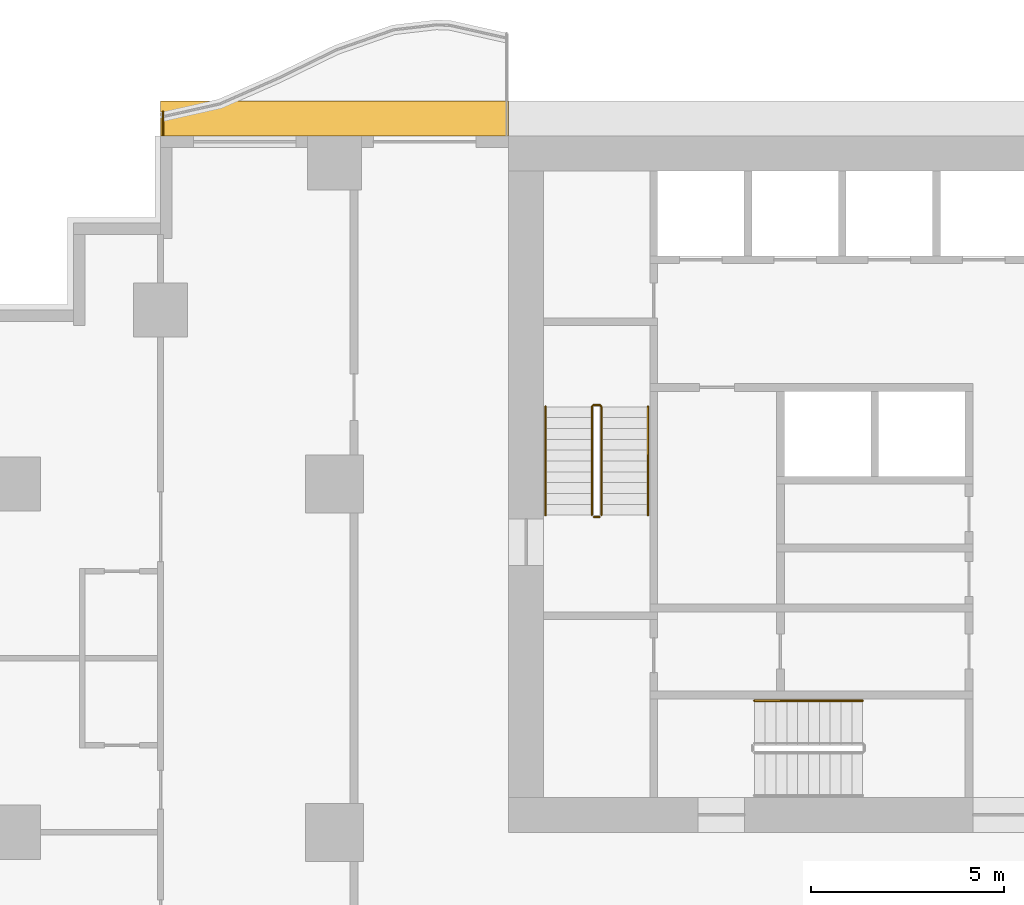
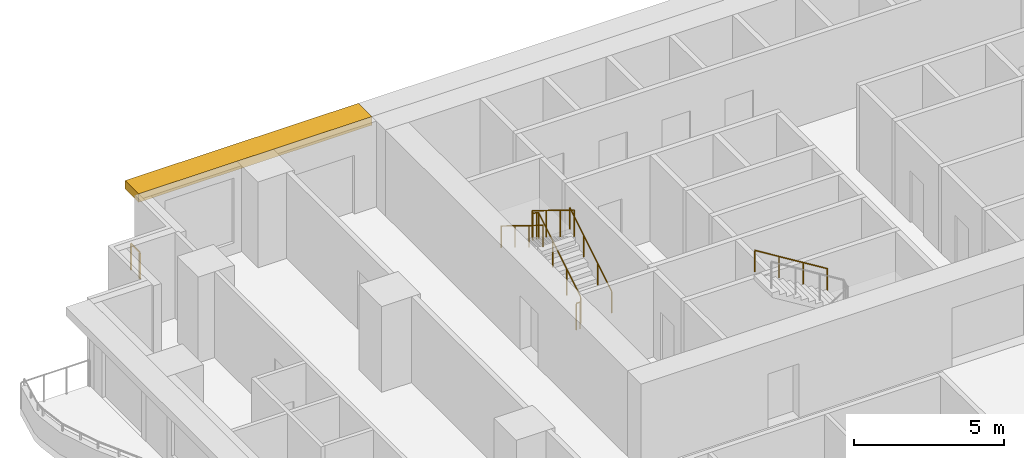
# One storey, part 12 of 14: 6 railings, 1 shading device.
"""IFC4 building model written with IfcOpenShell, lengths in metres."""

from ifc_helpers import new_model, si_unit, direction, frame, origin, origin_2d, place, context, subcontext, project, spatial, polyline, rectangle, circle, outline, extrude, material, layer, layer_set, type_object, element, save


model = new_model("IFC4")

# Units and contexts
model_context = context("Model", 3, precision=1e-05, world=origin(), true_north=direction((0.0, 1.0)))
body_context = subcontext(model_context, "Body", "Model", "MODEL_VIEW")
ifc_project = project(units=[si_unit("LENGTHUNIT", "METRE"), si_unit("AREAUNIT", "SQUARE_METRE"), si_unit("VOLUMEUNIT", "CUBIC_METRE"), si_unit("PLANEANGLEUNIT", "RADIAN"), si_unit("MASSUNIT", "GRAM", prefix="KILO")], contexts=[model_context])

# Site, building, storey
site_placement = place(None, origin())
site = spatial("IfcSite", under=ifc_project, at=site_placement, CompositionType="ELEMENT")
building_placement = place(site_placement, origin())
building = spatial("IfcBuilding", under=site, at=building_placement, Name="Orbiselva Terraces", CompositionType="ELEMENT")
storey_placement = place(building_placement, frame((0.0, 0.0, 49.2)))
storey = spatial("IfcBuildingStorey", under=building, at=storey_placement, Name="L12", CompositionType="ELEMENT", Elevation=49.2)

# Railings
ifc_material_1 = material(Name="Stainless steel", Category="steel")
railing_type_1 = type_object("IfcRailingType", Name="CORE-GUARD-1100", PredefinedType="GUARDRAIL", material=ifc_material_1)
railing_1_placement = place(storey_placement, frame((-11.1, 12.7, 0.172727)))
element("IfcRailing", 1, at=railing_1_placement, inside=storey, type_object=railing_type_1, Name="L12 S1 stair guard 1", PredefinedType="GUARDRAIL", context=body_context, shape_type="SweptSolid", body=[
    extrude(circle(Radius=0.024, at=origin_2d()), frame((0.0, 0.0, 1.081), z_axis=(0.0, 0.851088519012, 0.52502222125), x_axis=(-1.0, 0.0, 0.0)), (0.0, 0.0, 1.0), 3.289905),
    extrude(circle(Radius=0.024, at=origin_2d()), frame((0.0, 2.8, 2.808273), z_axis=(-0.707106781187, 0.707106781187, 0.0), x_axis=(-0.707106781187, -0.707106781187, 0.0)), (0.0, 0.0, 1.0), 0.070711),
    extrude(circle(Radius=0.024, at=origin_2d()), frame((-0.05, 2.85, 2.808273), z_axis=(-1.0, 0.0, 0.0), x_axis=(0.0, -1.0, 0.0)), (0.0, 0.0, 1.0), 0.15),
    extrude(circle(Radius=0.024, at=origin_2d()), frame((-0.2, 2.85, 2.808273), z_axis=(-0.267894925557, -0.267894925557, 0.925453736133), x_axis=(0.707106781187, -0.707106781187, 0.0)), (0.0, 0.0, 1.0), 0.18664),
    extrude(circle(Radius=0.024, at=origin_2d()), frame((-0.25, 2.8, 2.981), z_axis=(0.0, -0.851088519012, 0.52502222125), x_axis=(1.0, 0.0, 0.0)), (0.0, 0.0, 1.0), 3.289905),
    extrude(circle(Radius=0.021, at=origin_2d()), origin(), (0.0, 0.0, 1.0), 1.057),
    extrude(circle(Radius=0.021, at=origin_2d()), frame((0.0, 0.933333, 0.575758)), (0.0, 0.0, 1.0), 1.057),
    extrude(circle(Radius=0.021, at=origin_2d()), frame((0.0, 1.866667, 1.151515)), (0.0, 0.0, 1.0), 1.057),
    extrude(circle(Radius=0.021, at=origin_2d()), frame((0.0, 2.8, 1.727273)), (0.0, 0.0, 1.0), 1.057),
    extrude(circle(Radius=0.021, at=origin_2d()), frame((-0.05, 2.85, 1.727273)), (0.0, 0.0, 1.0), 1.057),
    extrude(circle(Radius=0.021, at=origin_2d()), frame((-0.2, 2.85, 1.727273)), (0.0, 0.0, 1.0), 1.057),
    extrude(circle(Radius=0.021, at=origin_2d()), frame((-0.25, 2.8, 1.9)), (0.0, 0.0, 1.0), 1.057),
    extrude(circle(Radius=0.021, at=origin_2d()), frame((-0.25, 1.866667, 2.475758)), (0.0, 0.0, 1.0), 1.057),
    extrude(circle(Radius=0.021, at=origin_2d()), frame((-0.25, 0.933333, 3.051515)), (0.0, 0.0, 1.0), 1.057),
    extrude(circle(Radius=0.021, at=origin_2d()), frame((-0.25, 0.0, 3.627273)), (0.0, 0.0, 1.0), 1.057),
])
railing_2_placement = place(storey_placement, frame((-11.15, 12.65, 0.0)))
element("IfcRailing", 2, at=railing_2_placement, inside=storey, type_object=railing_type_1, Name="L12 S1 stair guard 2", PredefinedType="GUARDRAIL", context=body_context, shape_type="SweptSolid", body=[
    extrude(circle(Radius=0.024, at=origin_2d()), frame((0.0, 0.0, 1.081), z_axis=(-1.0, 0.0, 0.0), x_axis=(0.0, -1.0, 0.0)), (0.0, 0.0, 1.0), 0.15),
    extrude(circle(Radius=0.021, at=origin_2d()), origin(), (0.0, 0.0, 1.0), 1.057),
    extrude(circle(Radius=0.021, at=origin_2d()), frame((-0.15, 0.0, 0.0)), (0.0, 0.0, 1.0), 1.057),
])
railing_type_2 = type_object("IfcRailingType", Name="CORE-HANDRAIL-900", PredefinedType="HANDRAIL", material=ifc_material_1)
railing_3_placement = place(storey_placement, frame((-9.9, 12.7, 0.172727)))
element("IfcRailing", 3, at=railing_3_placement, inside=storey, type_object=railing_type_2, Name="L12 S1 stair handrail 1", PredefinedType="HANDRAIL", context=body_context, shape_type="SweptSolid", body=[
    extrude(circle(Radius=0.024, at=origin_2d()), frame((0.0, 0.0, 0.876), z_axis=(0.0, 0.851088519012, 0.52502222125), x_axis=(-1.0, 0.0, 0.0)), (0.0, 0.0, 1.0), 3.289905),
    extrude(circle(Radius=0.021, at=origin_2d()), origin(), (0.0, 0.0, 1.0), 0.852),
    extrude(circle(Radius=0.021, at=origin_2d()), frame((0.0, 0.933333, 0.575758)), (0.0, 0.0, 1.0), 0.852),
    extrude(circle(Radius=0.021, at=origin_2d()), frame((0.0, 1.866667, 1.151515)), (0.0, 0.0, 1.0), 0.852),
    extrude(circle(Radius=0.021, at=origin_2d()), frame((0.0, 2.8, 1.727273)), (0.0, 0.0, 1.0), 0.852),
])
railing_4_placement = place(storey_placement, frame((-12.55, 15.5, 2.072727)))
element("IfcRailing", 4, at=railing_4_placement, inside=storey, type_object=railing_type_2, Name="L12 S1 stair handrail 2", PredefinedType="HANDRAIL", context=body_context, shape_type="SweptSolid", body=[
    extrude(circle(Radius=0.024, at=origin_2d()), frame((0.0, 0.0, 0.876), z_axis=(0.0, -0.851088519012, 0.52502222125), x_axis=(1.0, 0.0, 0.0)), (0.0, 0.0, 1.0), 3.289905),
    extrude(circle(Radius=0.021, at=origin_2d()), origin(), (0.0, 0.0, 1.0), 0.852),
    extrude(circle(Radius=0.021, at=origin_2d()), frame((0.0, -0.933333, 0.575758)), (0.0, 0.0, 1.0), 0.852),
    extrude(circle(Radius=0.021, at=origin_2d()), frame((0.0, -1.866667, 1.151515)), (0.0, 0.0, 1.0), 0.852),
    extrude(circle(Radius=0.021, at=origin_2d()), frame((0.0, -2.8, 1.727273)), (0.0, 0.0, 1.0), 0.852),
])
railing_5_placement = place(storey_placement, frame((-4.35, 7.9, 2.072727)))
element("IfcRailing", 5, at=railing_5_placement, inside=storey, type_object=railing_type_2, Name="L12 S3 stair handrail 2", PredefinedType="HANDRAIL", context=body_context, shape_type="SweptSolid", body=[
    extrude(circle(Radius=0.024, at=origin_2d()), frame((0.0, 0.0, 0.876), z_axis=(-0.851088519012, 0.0, 0.52502222125), x_axis=(0.0, -1.0, 0.0)), (0.0, 0.0, 1.0), 3.289905),
    extrude(circle(Radius=0.021, at=origin_2d()), origin(), (0.0, 0.0, 1.0), 0.852),
    extrude(circle(Radius=0.021, at=origin_2d()), frame((-0.933333, 0.0, 0.575758)), (0.0, 0.0, 1.0), 0.852),
    extrude(circle(Radius=0.021, at=origin_2d()), frame((-1.866667, 0.0, 1.151515)), (0.0, 0.0, 1.0), 0.852),
    extrude(circle(Radius=0.021, at=origin_2d()), frame((-2.8, 0.0, 1.727273)), (0.0, 0.0, 1.0), 0.852),
])
ifc_material_2 = material(Name="Stainless steel rail and posts", Category="steel")
railing_type_3 = type_object("IfcRailingType", Name="ENV-GUARD-1105", PredefinedType="BALUSTRADE", material=ifc_material_2)
railing_6_placement = place(storey_placement, frame((-22.44, 23.119866, 0.0)))
element("IfcRailing", 6, at=railing_6_placement, inside=storey, type_object=railing_type_3, Name="Balcony end guard L12 NW", PredefinedType="BALUSTRADE", context=body_context, shape_type="SweptSolid", body=[
    extrude(outline(polyline([(0.028868, 0.0), (0.014434, 0.025), (-0.014434, 0.025), (-0.028868, 0.0), (-0.014434, -0.025), (0.014434, -0.025), (0.028868, 0.0)])), frame((0.0, 0.0, 1.08), z_axis=(0.0, -1.0, 0.0), x_axis=(1.0, 0.0, 0.0)), (0.0, 0.0, 1.0), 0.594866),
    extrude(rectangle(XDim=0.05, YDim=0.05, at=origin_2d()), origin(), (0.0, 0.0, 1.0), 1.055),
    extrude(rectangle(XDim=0.05, YDim=0.05, at=origin_2d()), frame((0.0, -0.594866, 0.0)), (0.0, 0.0, 1.0), 1.055),
])

# Shading device
ifc_material_3 = material(Name="Terracotta baguette sunshade", Category="masonry")
ifc_layer = layer(ifc_material_3, 0.35)
ifc_layer_set = layer_set([ifc_layer], Name="Terracotta baguette sunshade")
shading_device_type = type_object("IfcShadingDeviceType", Name="ENV-SUNSHADE-900x350", PredefinedType="USERDEFINED", material=ifc_layer_set)
shading_device_placement = place(storey_placement, frame((0.0, 0.0, 3.15)))
element("IfcShadingDevice", 7, at=shading_device_placement, inside=storey, type_object=shading_device_type, Name="Sunshade band L12 NW", ObjectType="SUNSHADE", PredefinedType="USERDEFINED", context=body_context, shape_type="SweptSolid", body=[
    extrude(outline(polyline([(-13.5, 23.4), (-22.5, 23.4), (-22.5, 22.5), (-13.5, 22.5), (-13.5, 23.4)])), origin(), (0.0, 0.0, 1.0), 0.35),
])

save(model, "model.ifc")
